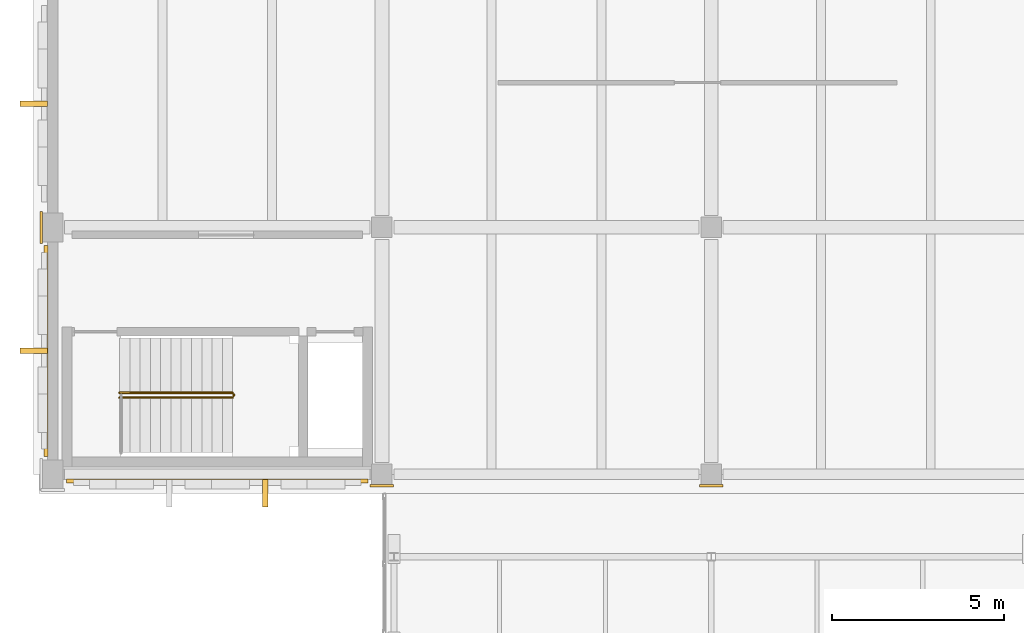
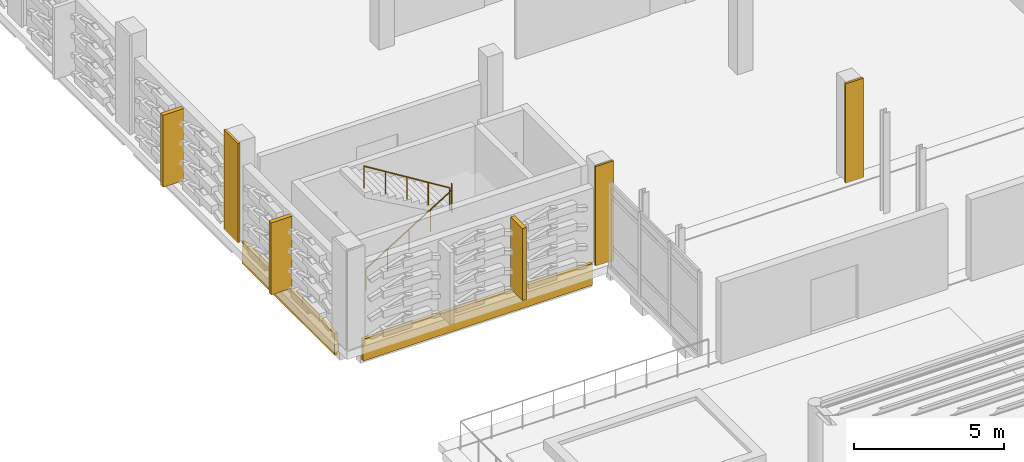
# One storey, part 119 of 134: 8 coverings, 3 railings.
"""IFC4 building model written with IfcOpenShell, lengths in metres."""

from ifc_helpers import new_model, si_unit, direction, frame, origin, origin_2d, place, context, subcontext, project, spatial, rectangle, circle, extrude, material, layer, layer_set, type_object, element, save


model = new_model("IFC4")

# Units and contexts
model_context = context("Model", 3, precision=1e-05, world=origin(), true_north=direction((0.0, 1.0)))
body_context = subcontext(model_context, "Body", "Model", "MODEL_VIEW")
ifc_project = project(units=[si_unit("LENGTHUNIT", "METRE"), si_unit("AREAUNIT", "SQUARE_METRE"), si_unit("VOLUMEUNIT", "CUBIC_METRE"), si_unit("PLANEANGLEUNIT", "RADIAN"), si_unit("MASSUNIT", "GRAM", prefix="KILO")], contexts=[model_context])

# Site, building, storey
site_placement = place(None, origin())
site = spatial("IfcSite", under=ifc_project, at=site_placement, CompositionType="ELEMENT")
building_placement = place(site_placement, origin())
building = spatial("IfcBuilding", under=site, at=building_placement, Name="Asteropetra Specialist Clinic", CompositionType="ELEMENT")
storey_placement = place(building_placement, frame((0.0, 0.0, 8.5)))
storey = spatial("IfcBuildingStorey", under=building, at=storey_placement, Name="L02", CompositionType="ELEMENT", Elevation=8.5)

# Coverings
ifc_material_1 = material(Name="Chevron ochre deep")
ifc_layer_1 = layer(ifc_material_1, 0.1201171875)
ifc_layer_set_1 = layer_set([ifc_layer_1], Name="Chevron ochre deep")
covering_type_1 = type_object("IfcCoveringType", Name="CLD-OCH-DEEP", PredefinedType="CLADDING", material=ifc_layer_set_1)
covering_1_placement = place(storey_placement, frame((4.800048828125, 33.405029296875, -0.800048828125), z_axis=(0.0, 0.0, 1.0), x_axis=(1.0, 0.0, 0.0)))
element("IfcCovering", 1, at=covering_1_placement, inside=storey, type_object=covering_type_1, Name="Chevron Spandrel Band CV-1849", PredefinedType="CLADDING", context=body_context, shape_type="SweptSolid", body=[
    extrude(rectangle(XDim=8.800048828125, YDim=0.1201171875, at=origin_2d()), origin(), (0.0, 0.0, 1.0), 0.8798828125),
])
covering_2_placement = place(storey_placement, frame((-0.195068359375, 37.199951171875, -0.800048828125), z_axis=(0.0, 0.0, 1.0), x_axis=(1.0, 0.0, 0.0)))
element("IfcCovering", 2, at=covering_2_placement, inside=storey, type_object=covering_type_1, Name="Chevron Spandrel Band CV-1851", PredefinedType="CLADDING", context=body_context, shape_type="SweptSolid", body=[
    extrude(rectangle(XDim=0.1201171875, YDim=6.14990234375, at=origin_2d()), origin(), (0.0, 0.0, 1.0), 0.8798828125),
])
ifc_material_2 = material(Name="Pentelic marble ashlar", Category="masonry")
ifc_layer_2 = layer(ifc_material_2, 0.159912109375)
ifc_layer_set_2 = layer_set([ifc_layer_2], Name="Pentelic marble ashlar")
covering_type_2 = type_object("IfcCoveringType", Name="CRN-ENTAB-600", PredefinedType="MOLDING", material=ifc_layer_set_2)
covering_3_placement = place(storey_placement, frame((-0.33203125, 40.800048828125, 0.02001953125), z_axis=(0.0, 0.0, 1.0), x_axis=(1.0, 0.0, 0.0)))
element("IfcCovering", 3, at=covering_3_placement, inside=storey, type_object=covering_type_2, Name="Neoclassical Pilaster Facing CM-0879", PredefinedType="MOLDING", context=body_context, shape_type="SweptSolid", body=[
    extrude(rectangle(XDim=0.080078125, YDim=0.929931640625, at=origin_2d()), origin(), (0.0, 0.0, 1.0), 4.0400390625),
])
for number, where, z_axis, x_axis, name in (
    (4, (9.60009765625, 33.26806640625, 0.02001953125), (0.0, 0.0, 1.0), (1.0, 0.0, 0.0), "Neoclassical Pilaster Facing CM-0884"),
    (5, (19.199951171875, 33.26806640625, 0.02001953125), (0.0, 0.0, 1.0), (1.0, 0.0, 0.0), "Neoclassical Pilaster Facing CM-0886"),
):
    element("IfcCovering", number, at=place(storey_placement, frame(where, z_axis=z_axis, x_axis=x_axis)), inside=storey, type_object=covering_type_2, Name=name, PredefinedType="MOLDING", context=body_context, shape_type="SweptSolid", body=[
        extrude(rectangle(XDim=0.679931640625, YDim=0.080078125, at=origin_2d()), origin(), (0.0, 0.0, 1.0), 4.0400390625),
    ])
ifc_material_3 = material(Name="Pentelic marble solar fin", Category="masonry")
ifc_layer_3 = layer(ifc_material_3, 0.080078125)
ifc_layer_set_3 = layer_set([ifc_layer_3], Name="Pentelic marble solar fin")
covering_type_3 = type_object("IfcCoveringType", Name="FIN-SOLAR-800", PredefinedType="MOLDING", material=ifc_layer_set_3)
covering_4_placement = place(storey_placement, frame((6.193359375, 33.050048828125, 0.070068359375), z_axis=(0.0, 0.0, 1.0), x_axis=(1.0, 0.0, 0.0)))
element("IfcCovering", 6, at=covering_4_placement, inside=storey, type_object=covering_type_3, Name="Solar Shading Fin FN-0125", PredefinedType="MOLDING", context=body_context, shape_type="SweptSolid", body=[
    extrude(rectangle(XDim=0.159912109375, YDim=0.800048828125, at=origin_2d()), origin(), (0.0, 0.0, 1.0), 2.919921875),
])
for number, where, z_axis, x_axis, name in (
    (7, (-0.550048828125, 37.199951171875, 0.070068359375), (0.0, 0.0, 1.0), (1.0, 0.0, 0.0), "Solar Shading Fin FN-0132"),
    (8, (-0.550048828125, 44.39990234375, 0.070068359375), (0.0, 0.0, 1.0), (1.0, 0.0, 0.0), "Solar Shading Fin FN-0134"),
):
    element("IfcCovering", number, at=place(storey_placement, frame(where, z_axis=z_axis, x_axis=x_axis)), inside=storey, type_object=covering_type_3, Name=name, PredefinedType="MOLDING", context=body_context, shape_type="SweptSolid", body=[
        extrude(rectangle(XDim=0.800048828125, YDim=0.159912109375, at=origin_2d()), origin(), (0.0, 0.0, 1.0), 2.919921875),
    ])

# Railings
ifc_material_4 = material(Name="Steel S355 and laminated glass guard", Category="steel")
railing_type_1 = type_object("IfcRailingType", Name="GRD-INT-1120", PredefinedType="GUARDRAIL", material=ifc_material_4)
railing_1_placement = place(storey_placement, frame((5.280029296875, 35.889892578125, 2.0400390625)))
element("IfcRailing", 9, at=railing_1_placement, inside=storey, type_object=railing_type_1, Name="Landing Slot Guard ST04-L02", PredefinedType="GUARDRAIL", context=body_context, shape_type="SweptSolid", body=[
    extrude(circle(Radius=0.02392578125, at=origin_2d()), frame((0.0, 0.0, 1.09619140625), z_axis=(0.0, 1.0, 0.0), x_axis=(-1.0, 0.0, 0.0)), (0.0, 0.0, 1.0), 0.0400390625),
    extrude(circle(Radius=0.02099609375, at=origin_2d()), origin(), (0.0, 0.0, 1.0), 1.072021484375),
    extrude(circle(Radius=0.02099609375, at=origin_2d()), frame((0.0, 0.0400390625, 0.0)), (0.0, 0.0, 1.0), 1.072021484375),
])
ifc_material_5 = material(Name="Brushed stainless steel handrail", Category="steel")
railing_type_2 = type_object("IfcRailingType", Name="HRL-STAIR-920", PredefinedType="HANDRAIL", material=ifc_material_5)
railing_2_placement = place(storey_placement, frame((1.949951171875, 35.840087890625, 0.0)))
element("IfcRailing", 10, at=railing_2_placement, inside=storey, type_object=railing_type_2, Name="Stair Handrail ST04-L02 F1", PredefinedType="HANDRAIL", context=body_context, shape_type="SweptSolid", body=[
    extrude(circle(Radius=0.02392578125, at=origin_2d()), frame((0.0, 0.0, 0.89599609375), z_axis=(0.850593546085, 0.0, 0.525823753132), x_axis=(0.0, 1.0, 0.0)), (0.0, 0.0, 1.0), 3.879638671875),
    extrude(circle(Radius=0.02099609375, at=origin_2d()), origin(), (0.0, 0.0, 1.0), 0.871826171875),
    extrude(circle(Radius=0.02099609375, at=origin_2d()), frame((0.824951171875, 0.0, 0.510009765625)), (0.0, 0.0, 1.0), 0.871826171875),
    extrude(circle(Radius=0.02099609375, at=origin_2d()), frame((1.64990234375, 0.0, 1.02001953125)), (0.0, 0.0, 1.0), 0.871826171875),
    extrude(circle(Radius=0.02099609375, at=origin_2d()), frame((2.47509765625, 0.0, 1.530029296875)), (0.0, 0.0, 1.0), 0.871826171875),
    extrude(circle(Radius=0.02099609375, at=origin_2d()), frame((3.300048828125, 0.0, 2.0400390625)), (0.0, 0.0, 1.0), 0.871826171875),
])
railing_3_placement = place(storey_placement, frame((5.25, 35.97998046875, 2.0400390625)))
element("IfcRailing", 11, at=railing_3_placement, inside=storey, type_object=railing_type_2, Name="Stair Handrail ST04-L02 F2", PredefinedType="HANDRAIL", context=body_context, shape_type="SweptSolid", body=[
    extrude(circle(Radius=0.02392578125, at=origin_2d()), frame((0.0, 0.0, 0.89599609375), z_axis=(-0.850593546085, 0.0, 0.525823753132), x_axis=(0.0, -1.0, 0.0)), (0.0, 0.0, 1.0), 3.879638671875),
    extrude(circle(Radius=0.02099609375, at=origin_2d()), origin(), (0.0, 0.0, 1.0), 0.871826171875),
    extrude(circle(Radius=0.02099609375, at=origin_2d()), frame((-0.824951171875, 0.0, 0.510009765625)), (0.0, 0.0, 1.0), 0.871826171875),
    extrude(circle(Radius=0.02099609375, at=origin_2d()), frame((-1.64990234375, 0.0, 1.02001953125)), (0.0, 0.0, 1.0), 0.871826171875),
    extrude(circle(Radius=0.02099609375, at=origin_2d()), frame((-2.47509765625, 0.0, 1.530029296875)), (0.0, 0.0, 1.0), 0.871826171875),
    extrude(circle(Radius=0.02099609375, at=origin_2d()), frame((-3.300048828125, 0.0, 2.0400390625)), (0.0, 0.0, 1.0), 0.871826171875),
])

save(model, "model.ifc")
